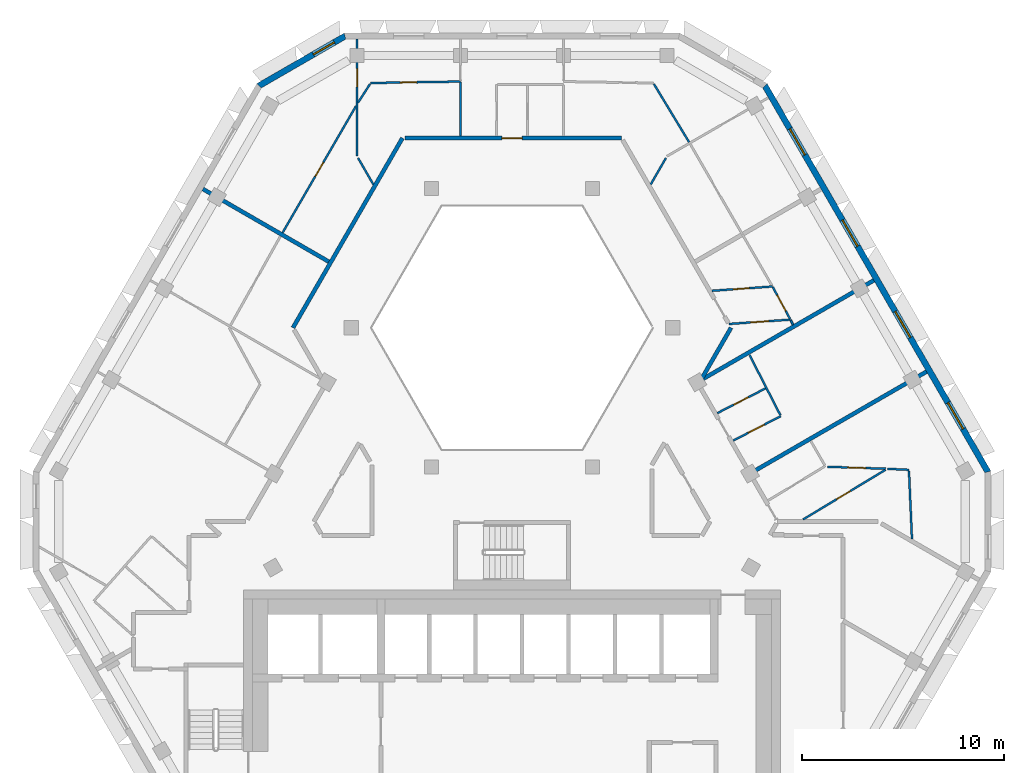
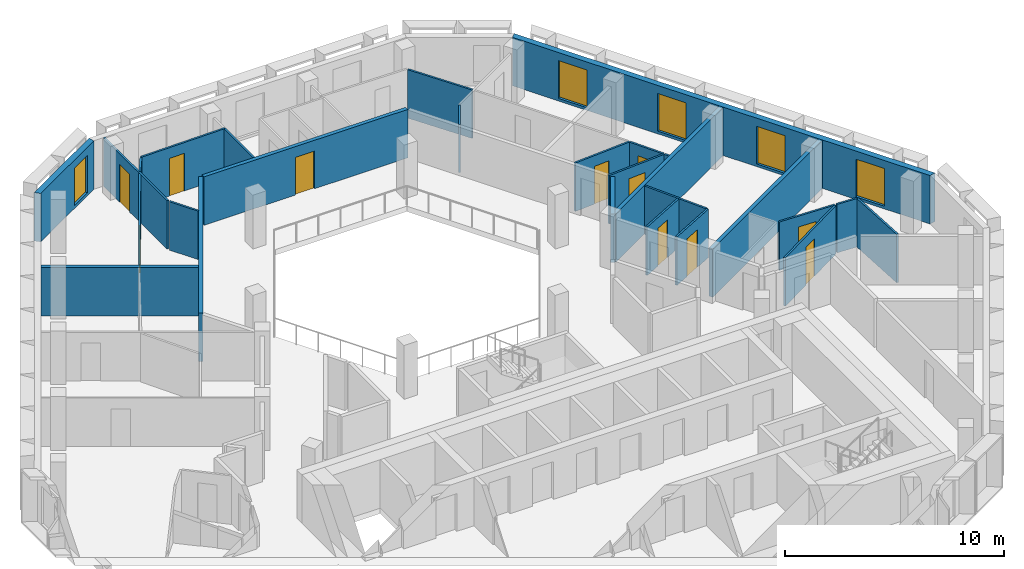
# One storey, part 6 of 14: 27 walls, 11 doors, 5 windows, 16 openings.
"""IFC4 building model written with IfcOpenShell, lengths in metres."""

from ifc_helpers import new_model, si_unit, direction, frame, frame_2d, origin, place, context, subcontext, project, spatial, polyline, rectangle, outline, extrude, material, layer, layer_set, type_object, element, fill, save


model = new_model("IFC4")

# Units and contexts
model_context = context("Model", 3, precision=1e-05, world=origin(), true_north=direction((0.0, 1.0)))
body_context = subcontext(model_context, "Body", "Model", "MODEL_VIEW")
ifc_project = project(units=[si_unit("LENGTHUNIT", "METRE"), si_unit("AREAUNIT", "SQUARE_METRE"), si_unit("VOLUMEUNIT", "CUBIC_METRE"), si_unit("PLANEANGLEUNIT", "RADIAN"), si_unit("MASSUNIT", "GRAM", prefix="KILO")], contexts=[model_context])

# Site, building, storey
site_placement = place(None, origin())
site = spatial("IfcSite", under=ifc_project, at=site_placement, CompositionType="ELEMENT")
building_placement = place(site_placement, origin())
building = spatial("IfcBuilding", under=site, at=building_placement, Name="Beryl Residences", CompositionType="ELEMENT")
storey_placement = place(building_placement, frame((0.0, 0.0, 223.800048828125)))
storey = spatial("IfcBuildingStorey", under=building, at=storey_placement, Name="L69", CompositionType="ELEMENT", Elevation=223.800048828125)

# Wall, opening, window
ifc_material_1 = material(Name="Composite metal panel with mineral wool insulation")
ifc_layer_1 = layer(ifc_material_1, 0.300048828125)
ifc_layer_set_1 = layer_set([ifc_layer_1], Name="ES1 pale metal composite panel wall 300 mm")
wall_type_1 = type_object("IfcWallType", Name="ES1 pale metal composite panel wall 300 mm", PredefinedType="SOLIDWALL", material=ifc_layer_set_1)
wall_1_placement = place(storey_placement, frame((-8.239013671875, 22.469970703125, 0.0), z_axis=(0.0, 0.0, 1.0), x_axis=(-0.866022959057, -0.500004234368, 0.0)))
wall_1 = element("IfcWall", 1, at=wall_1_placement, inside=storey, type_object=wall_type_1, Name="ES1 external wall L69 N-NW", PredefinedType="SOLIDWALL", context=body_context, shape_type="SweptSolid", body=[
    extrude(outline(polyline([(0.0, -0.14990234375), (5.0, -0.14990234375), (4.919677734375, 0.14990234375), (0.080322265625, 0.14990234375), (0.0, -0.14990234375)])), origin(), (0.0, 0.0, 1.0), 2.699951171875),
])
opening_1_placement = place(wall_1_placement, frame((0.64990234375, 0.0, 0.14990234375)))
opening_1 = element("IfcOpeningElement", 2, at=opening_1_placement, cuts=wall_1, Name="Opening W2", PredefinedType="OPENING", context=body_context, shape_type="SweptSolid", body=[
    extrude(rectangle(XDim=1.199951171875, YDim=2.10009765625, at=frame_2d((0.60009765625, 1.050048828125))), frame((0.0, 0.159912109375, 0.0), z_axis=(0.0, -1.0, 0.0), x_axis=(1.0, 0.0, 0.0)), (0.0, 0.0, 1.0), 0.320068359375),
])
ifc_material_2 = material(Name="Aluminium and clear glass", Category="aluminium")
window_type_1 = type_object("IfcWindowType", Name="W2 chamfer window 1200 x 2100 mm", PartitioningType="SINGLE_PANEL", PredefinedType="WINDOW", material=ifc_material_2)
window_1_placement = place(opening_1_placement, origin())
window_1 = element("IfcWindow", 3, at=window_1_placement, inside=storey, type_object=window_type_1, Name="W2 window L69 N-NW 1", OverallHeight=2.10009765625, OverallWidth=1.199951171875, PartitioningType="SINGLE_PANEL", PredefinedType="WINDOW", context=body_context, shape_type="SweptSolid", body=[
    extrude(rectangle(XDim=1.199951171875, YDim=2.10009765625, at=frame_2d((0.60009765625, 1.050048828125))), frame((0.0, 0.030029296875, 0.0), z_axis=(0.0, -1.0, 0.0), x_axis=(1.0, 0.0, 0.0)), (0.0, 0.0, 1.0), 0.06005859375),
])
fill(opening_1, window_1)

# Wall, openings, windows
wall_2_placement = place(storey_placement, frame((23.59912109375, 0.824951171875, 0.0), z_axis=(0.0, 0.0, 1.0), x_axis=(-0.500003656944, 0.866023292436, 0.0)))
wall_2 = element("IfcWall", 4, at=wall_2_placement, inside=storey, type_object=wall_type_1, Name="ES1 external wall L69 NE", PredefinedType="SOLIDWALL", context=body_context, shape_type="SweptSolid", body=[
    extrude(outline(polyline([(0.0, -0.14990234375), (22.170166015625, -0.14990234375), (22.08984375, 0.14990234375), (0.080322265625, 0.14990234375), (0.0, -0.14990234375)])), origin(), (0.0, 0.0, 1.0), 2.699951171875),
])
opening_2_placement = place(wall_2_placement, frame((2.4970703125, 0.0, 0.14990234375)))
opening_2 = element("IfcOpeningElement", 5, at=opening_2_placement, cuts=wall_2, Name="Opening W1", PredefinedType="OPENING", context=body_context, shape_type="SweptSolid", body=[
    extrude(rectangle(XDim=1.5, YDim=2.10009765625, at=frame_2d((0.75, 1.050048828125))), frame((0.0, 0.159912109375, 0.0), z_axis=(0.0, -1.0, 0.0), x_axis=(1.0, 0.0, 0.0)), (0.0, 0.0, 1.0), 0.320068359375),
])
opening_3_placement = place(wall_2_placement, frame((7.722900390625, 0.0, 0.14990234375)))
opening_3 = element("IfcOpeningElement", 6, at=opening_3_placement, cuts=wall_2, Name="Opening W1", PredefinedType="OPENING", context=body_context, shape_type="SweptSolid", body=[
    extrude(rectangle(XDim=1.5, YDim=2.10009765625, at=frame_2d((0.75, 1.050048828125))), frame((0.0, 0.159912109375, 0.0), z_axis=(0.0, -1.0, 0.0), x_axis=(1.0, 0.0, 0.0)), (0.0, 0.0, 1.0), 0.320068359375),
])
opening_4_placement = place(wall_2_placement, frame((12.947998046875, 0.0, 0.14990234375)))
opening_4 = element("IfcOpeningElement", 7, at=opening_4_placement, cuts=wall_2, Name="Opening W1", PredefinedType="OPENING", context=body_context, shape_type="SweptSolid", body=[
    extrude(rectangle(XDim=1.5, YDim=2.10009765625, at=frame_2d((0.75, 1.050048828125))), frame((0.0, 0.159912109375, 0.0), z_axis=(0.0, -1.0, 0.0), x_axis=(1.0, 0.0, 0.0)), (0.0, 0.0, 1.0), 0.320068359375),
])
opening_5_placement = place(wall_2_placement, frame((18.173095703125, 0.0, 0.14990234375)))
opening_5 = element("IfcOpeningElement", 8, at=opening_5_placement, cuts=wall_2, Name="Opening W1", PredefinedType="OPENING", context=body_context, shape_type="SweptSolid", body=[
    extrude(rectangle(XDim=1.5, YDim=2.10009765625, at=frame_2d((0.75, 1.050048828125))), frame((0.0, 0.159912109375, 0.0), z_axis=(0.0, -1.0, 0.0), x_axis=(1.0, 0.0, 0.0)), (0.0, 0.0, 1.0), 0.320068359375),
])
ifc_material_3 = material(Name="Aluminium and clear glass", Category="aluminium")
window_type_2 = type_object("IfcWindowType", Name="W1 cell window 1500 x 2100 mm", PartitioningType="SINGLE_PANEL", PredefinedType="WINDOW", material=ifc_material_3)
window_2_placement = place(opening_2_placement, origin())
window_2 = element("IfcWindow", 9, at=window_2_placement, inside=storey, type_object=window_type_2, Name="W1 window L69 NE 2", OverallHeight=2.10009765625, OverallWidth=1.5, PartitioningType="SINGLE_PANEL", PredefinedType="WINDOW", context=body_context, shape_type="SweptSolid", body=[
    extrude(rectangle(XDim=1.5, YDim=2.10009765625, at=frame_2d((0.75, 1.050048828125))), frame((0.0, 0.030029296875, 0.0), z_axis=(0.0, -1.0, 0.0), x_axis=(1.0, 0.0, 0.0)), (0.0, 0.0, 1.0), 0.06005859375),
])
fill(opening_2, window_2)
window_3_placement = place(opening_3_placement, origin())
window_3 = element("IfcWindow", 10, at=window_3_placement, inside=storey, type_object=window_type_2, Name="W1 window L69 NE 4", OverallHeight=2.10009765625, OverallWidth=1.5, PartitioningType="SINGLE_PANEL", PredefinedType="WINDOW", context=body_context, shape_type="SweptSolid", body=[
    extrude(rectangle(XDim=1.5, YDim=2.10009765625, at=frame_2d((0.75, 1.050048828125))), frame((0.0, 0.030029296875, 0.0), z_axis=(0.0, -1.0, 0.0), x_axis=(1.0, 0.0, 0.0)), (0.0, 0.0, 1.0), 0.06005859375),
])
fill(opening_3, window_3)
window_4_placement = place(opening_4_placement, origin())
window_4 = element("IfcWindow", 11, at=window_4_placement, inside=storey, type_object=window_type_2, Name="W1 window L69 NE 6", OverallHeight=2.10009765625, OverallWidth=1.5, PartitioningType="SINGLE_PANEL", PredefinedType="WINDOW", context=body_context, shape_type="SweptSolid", body=[
    extrude(rectangle(XDim=1.5, YDim=2.10009765625, at=frame_2d((0.75, 1.050048828125))), frame((0.0, 0.030029296875, 0.0), z_axis=(0.0, -1.0, 0.0), x_axis=(1.0, 0.0, 0.0)), (0.0, 0.0, 1.0), 0.06005859375),
])
fill(opening_4, window_4)
window_5_placement = place(opening_5_placement, origin())
window_5 = element("IfcWindow", 12, at=window_5_placement, inside=storey, type_object=window_type_2, Name="W1 window L69 NE 8", OverallHeight=2.10009765625, OverallWidth=1.5, PartitioningType="SINGLE_PANEL", PredefinedType="WINDOW", context=body_context, shape_type="SweptSolid", body=[
    extrude(rectangle(XDim=1.5, YDim=2.10009765625, at=frame_2d((0.75, 1.050048828125))), frame((0.0, 0.030029296875, 0.0), z_axis=(0.0, -1.0, 0.0), x_axis=(1.0, 0.0, 0.0)), (0.0, 0.0, 1.0), 0.06005859375),
])
fill(opening_5, window_5)

# Walls
ifc_material_4 = material(Name="Gypsum board partition on steel studs", Category="steel")
ifc_layer_2 = layer(ifc_material_4, 0.10009765625)
ifc_layer_set_2 = layer_set([ifc_layer_2], Name="PT1 partition 100 mm gypsum board on steel studs")
wall_type_2 = type_object("IfcWallType", Name="PT1 partition 100 mm gypsum board on steel studs", PredefinedType="PARTITIONING", material=ifc_layer_set_2)
wall_3_placement = place(storey_placement, frame((7.032958984375, 20.076904296875, 0.0), z_axis=(0.0, 0.0, 1.0), x_axis=(0.517730137343, -0.855543981854, 0.0)))
element("IfcWall", 13, at=wall_3_placement, inside=storey, type_object=wall_type_2, Name="Wall PT1 L69 001", PredefinedType="PARTITIONING", context=body_context, shape_type="SweptSolid", body=[
    extrude(rectangle(XDim=3.37060546875, YDim=0.10009765625, at=frame_2d((1.685302734375, 0.0))), origin(), (0.0, 0.0, 1.0), 2.699951171875),
])
wall_4_placement = place(storey_placement, frame((-7.6279296875, 16.412109375, 0.0), z_axis=(0.0, 0.0, 1.0), x_axis=(0.500159472144, -0.86593331292, 0.0)))
element("IfcWall", 14, at=wall_4_placement, inside=storey, type_object=wall_type_2, Name="Wall PT1 L69 003", PredefinedType="PARTITIONING", context=body_context, shape_type="SweptSolid", body=[
    extrude(rectangle(XDim=1.51513671875, YDim=0.10009765625, at=frame_2d((0.757568359375, 0.0))), origin(), (0.0, 0.0, 1.0), 2.699951171875),
])

# Wall, opening, door
wall_5_placement = place(storey_placement, frame((12.922119140625, 10.01611328125, 0.0), z_axis=(0.0, 0.0, 1.0), x_axis=(0.476510550025, -0.879168752695, 0.0)))
wall_5 = element("IfcWall", 15, at=wall_5_placement, inside=storey, type_object=wall_type_2, Name="Wall PT1 L69 006", PredefinedType="PARTITIONING", context=body_context, shape_type="SweptSolid", body=[
    extrude(rectangle(XDim=1.79833984375, YDim=0.10009765625, at=frame_2d((0.899169921875, 0.0))), origin(), (0.0, 0.0, 1.0), 2.699951171875),
])
opening_6_placement = place(wall_5_placement, frame((0.448974609375, 0.0, 0.0)))
opening_6 = element("IfcOpeningElement", 16, at=opening_6_placement, cuts=wall_5, Name="Opening D2233", PredefinedType="OPENING", context=body_context, shape_type="SweptSolid", body=[
    extrude(rectangle(XDim=0.89990234375, YDim=2.10009765625, at=frame_2d((0.449951171875, 1.050048828125))), frame((0.0, 0.06005859375, 0.0), z_axis=(0.0, -1.0, 0.0), x_axis=(1.0, 0.0, 0.0)), (0.0, 0.0, 1.0), 0.1201171875),
])
ifc_material_5 = material(Name="Timber door leaf", Category="wood")
door_type_1 = type_object("IfcDoorType", Name="D2 room door 900 x 2100 mm", OperationType="SINGLE_SWING_LEFT", PredefinedType="DOOR", material=ifc_material_5)
door_1_placement = place(opening_6_placement, origin())
door_1 = element("IfcDoor", 17, at=door_1_placement, inside=storey, type_object=door_type_1, Name="Door D2233 L69 001", OperationType="SINGLE_SWING_LEFT", OverallHeight=2.10009765625, OverallWidth=0.89990234375, PredefinedType="DOOR", context=body_context, shape_type="SweptSolid", body=[
    extrude(rectangle(XDim=0.89990234375, YDim=2.10009765625, at=frame_2d((0.449951171875, 1.050048828125))), frame((0.0, 0.02490234375, 0.0), z_axis=(0.0, -1.0, 0.0), x_axis=(1.0, 0.0, 0.0)), (0.0, 0.0, 1.0), 0.050048828125),
])
fill(opening_6, door_1)

# Walls
wall_6_placement = place(storey_placement, frame((13.81103515625, 8.375, 0.0), z_axis=(0.0, 0.0, 1.0), x_axis=(0.457058020142, -0.889436881529, 0.0)))
element("IfcWall", 18, at=wall_6_placement, inside=storey, type_object=wall_type_2, Name="Wall PT1 L69 007", PredefinedType="PARTITIONING", context=body_context, shape_type="SweptSolid", body=[
    extrude(rectangle(XDim=0.247314453125, YDim=0.10009765625, at=frame_2d((0.12353515625, 0.0))), origin(), (0.0, 0.0, 1.0), 2.699951171875),
])
wall_7_placement = place(storey_placement, frame((11.77197265625, 6.64599609375, 0.0), z_axis=(0.0, 0.0, 1.0), x_axis=(0.456175983405, -0.889889584254, 0.0)))
element("IfcWall", 19, at=wall_7_placement, inside=storey, type_object=wall_type_2, Name="Wall PT1 L69 008", PredefinedType="PARTITIONING", context=body_context, shape_type="SweptSolid", body=[
    extrude(rectangle(XDim=3.34765625, YDim=0.10009765625, at=frame_2d((1.673828125, 0.0))), origin(), (0.0, 0.0, 1.0), 2.699951171875),
])
wall_8_placement = place(storey_placement, frame((19.669921875, 0.908935546875, 0.0), z_axis=(0.0, 0.0, 1.0), x_axis=(0.043933486644, -0.99903445824, 0.0)))
element("IfcWall", 20, at=wall_8_placement, inside=storey, type_object=wall_type_2, Name="Wall PT1 L69 009", PredefinedType="PARTITIONING", context=body_context, shape_type="SweptSolid", body=[
    extrude(rectangle(XDim=3.373046875, YDim=0.10009765625, at=frame_2d((1.6865234375, 0.0))), origin(), (0.0, 0.0, 1.0), 2.699951171875),
])
wall_9_placement = place(storey_placement, frame((-2.55908203125, 20.169921875, 0.0), z_axis=(0.0, 0.0, 1.0), x_axis=(0.0, -1.0, 0.0)))
element("IfcWall", 21, at=wall_9_placement, inside=storey, type_object=wall_type_2, Name="Wall PT1 L69 010", PredefinedType="PARTITIONING", context=body_context, shape_type="SweptSolid", body=[
    extrude(rectangle(XDim=2.669921875, YDim=0.10009765625, at=frame_2d((1.3349609375, 0.0))), origin(), (0.0, 0.0, 1.0), 2.699951171875),
])

# Wall, opening, door
wall_10_placement = place(storey_placement, frame((15.631103515625, 1.112060546875, 0.0), z_axis=(0.0, 0.0, 1.0), x_axis=(0.999423034213, -0.033964668168, 0.0)))
wall_10 = element("IfcWall", 22, at=wall_10_placement, inside=storey, type_object=wall_type_2, Name="Wall PT1 L69 014", PredefinedType="PARTITIONING", context=body_context, shape_type="SweptSolid", body=[
    extrude(rectangle(XDim=2.8896484375, YDim=0.10009765625, at=frame_2d((1.44482421875, 0.0))), origin(), (0.0, 0.0, 1.0), 2.699951171875),
])
opening_7_placement = place(wall_10_placement, frame((0.9951171875, 0.0, 0.0)))
opening_7 = element("IfcOpeningElement", 23, at=opening_7_placement, cuts=wall_10, Name="Opening D2226", PredefinedType="OPENING", context=body_context, shape_type="SweptSolid", body=[
    extrude(rectangle(XDim=0.89990234375, YDim=2.10009765625, at=frame_2d((0.449951171875, 1.050048828125))), frame((0.0, 0.06005859375, 0.0), z_axis=(0.0, -1.0, 0.0), x_axis=(1.0, 0.0, 0.0)), (0.0, 0.0, 1.0), 0.1201171875),
])
door_2_placement = place(opening_7_placement, origin())
door_2 = element("IfcDoor", 24, at=door_2_placement, inside=storey, type_object=door_type_1, Name="Door D2226 L69 001", OperationType="SINGLE_SWING_RIGHT", OverallHeight=2.10009765625, OverallWidth=0.89990234375, PredefinedType="DOOR", context=body_context, shape_type="SweptSolid", body=[
    extrude(rectangle(XDim=0.89990234375, YDim=2.10009765625, at=frame_2d((0.449951171875, 1.050048828125))), frame((0.0, 0.02490234375, 0.0), z_axis=(0.0, -1.0, 0.0), x_axis=(1.0, 0.0, 0.0)), (0.0, 0.0, 1.0), 0.050048828125),
])
fill(opening_7, door_2)

# Walls
wall_11_placement = place(storey_placement, frame((-7.6279296875, 19.154052734375, 0.0), z_axis=(0.0, 0.0, 1.0), x_axis=(0.540600102017, 0.841279697663, 0.0)))
element("IfcWall", 25, at=wall_11_placement, inside=storey, type_object=wall_type_2, Name="Wall PT1 L69 022", PredefinedType="PARTITIONING", context=body_context, shape_type="SweptSolid", body=[
    extrude(rectangle(XDim=1.096923828125, YDim=0.10009765625, at=frame_2d((0.54833984375, 0.0))), origin(), (0.0, 0.0, 1.0), 2.699951171875),
])
wall_12_placement = place(storey_placement, frame((6.87109375, 15.10009765625, 0.0), z_axis=(0.0, 0.0, 1.0), x_axis=(0.499805980977, 0.866137391745, 0.0)))
element("IfcWall", 26, at=wall_12_placement, inside=storey, type_object=wall_type_2, Name="Wall PT1 L69 024", PredefinedType="PARTITIONING", context=body_context, shape_type="SweptSolid", body=[
    extrude(rectangle(XDim=1.51806640625, YDim=0.10009765625, at=frame_2d((0.759033203125, 0.0))), origin(), (0.0, 0.0, 1.0), 2.699951171875),
])

# Wall, opening, door
wall_13_placement = place(storey_placement, frame((-11.366943359375, 12.7119140625, 0.0), z_axis=(0.0, 0.0, 1.0), x_axis=(0.501473866443, 0.865172792727, 0.0)))
wall_13 = element("IfcWall", 27, at=wall_13_placement, inside=storey, type_object=wall_type_2, Name="Wall PT1 L69 025", PredefinedType="PARTITIONING", context=body_context, shape_type="SweptSolid", body=[
    extrude(rectangle(XDim=7.25634765625, YDim=0.10009765625, at=frame_2d((3.628173828125, 0.0))), origin(), (0.0, 0.0, 1.0), 2.699951171875),
])
opening_8_placement = place(wall_13_placement, frame((3.22802734375, 0.0, 0.0)))
opening_8 = element("IfcOpeningElement", 28, at=opening_8_placement, cuts=wall_13, Name="Opening D2211", PredefinedType="OPENING", context=body_context, shape_type="SweptSolid", body=[
    extrude(rectangle(XDim=0.800048828125, YDim=2.10009765625, at=frame_2d((0.39990234375, 1.050048828125))), frame((0.0, 0.06005859375, 0.0), z_axis=(0.0, -1.0, 0.0), x_axis=(1.0, 0.0, 0.0)), (0.0, 0.0, 1.0), 0.1201171875),
])
ifc_material_6 = material(Name="Timber door leaf", Category="wood")
door_type_2 = type_object("IfcDoorType", Name="D3 bathroom door 800 x 2100 mm", OperationType="SINGLE_SWING_LEFT", PredefinedType="DOOR", material=ifc_material_6)
door_3_placement = place(opening_8_placement, origin())
door_3 = element("IfcDoor", 29, at=door_3_placement, inside=storey, type_object=door_type_2, Name="Door D2211 L69 001", OperationType="SINGLE_SWING_LEFT", OverallHeight=2.10009765625, OverallWidth=0.800048828125, PredefinedType="DOOR", context=body_context, shape_type="SweptSolid", body=[
    extrude(rectangle(XDim=0.800048828125, YDim=2.10009765625, at=frame_2d((0.39990234375, 1.050048828125))), frame((0.0, 0.02490234375, 0.0), z_axis=(0.0, -1.0, 0.0), x_axis=(1.0, 0.0, 0.0)), (0.0, 0.0, 1.0), 0.050048828125),
])
fill(opening_8, door_3)

wall_14_placement = place(storey_placement, frame((-7.677978515625, 16.4990234375, 0.0), z_axis=(0.0, 0.0, 1.0), x_axis=(0.0, 1.0, 0.0)))
wall_14 = element("IfcWall", 30, at=wall_14_placement, inside=storey, type_object=wall_type_2, Name="Wall PT1 L69 028", PredefinedType="PARTITIONING", context=body_context, shape_type="SweptSolid", body=[
    extrude(rectangle(XDim=5.801025390625, YDim=0.10009765625, at=frame_2d((2.900390625, 0.0))), origin(), (0.0, 0.0, 1.0), 2.699951171875),
])
opening_9_placement = place(wall_14_placement, frame((3.43994140625, 0.0, 0.0)))
opening_9 = element("IfcOpeningElement", 31, at=opening_9_placement, cuts=wall_14, Name="Opening D2210", PredefinedType="OPENING", context=body_context, shape_type="SweptSolid", body=[
    extrude(rectangle(XDim=0.89990234375, YDim=2.10009765625, at=frame_2d((0.449951171875, 1.050048828125))), frame((0.0, 0.06005859375, 0.0), z_axis=(0.0, -1.0, 0.0), x_axis=(1.0, 0.0, 0.0)), (0.0, 0.0, 1.0), 0.1201171875),
])
door_4_placement = place(opening_9_placement, origin())
door_4 = element("IfcDoor", 32, at=door_4_placement, inside=storey, type_object=door_type_1, Name="Door D2210 L69 001", OperationType="SINGLE_SWING_RIGHT", OverallHeight=2.10009765625, OverallWidth=0.89990234375, PredefinedType="DOOR", context=body_context, shape_type="SweptSolid", body=[
    extrude(rectangle(XDim=0.89990234375, YDim=2.10009765625, at=frame_2d((0.449951171875, 1.050048828125))), frame((0.0, 0.02490234375, 0.0), z_axis=(0.0, -1.0, 0.0), x_axis=(1.0, 0.0, 0.0)), (0.0, 0.0, 1.0), 0.050048828125),
])
fill(opening_9, door_4)

wall_15_placement = place(storey_placement, frame((-7.001953125, 20.1279296875, 0.0), z_axis=(0.0, 0.0, 1.0), x_axis=(0.999868634558, 0.016208443081, 0.0)))
wall_15 = element("IfcWall", 33, at=wall_15_placement, inside=storey, type_object=wall_type_2, Name="Wall PT1 L69 031", PredefinedType="PARTITIONING", context=body_context, shape_type="SweptSolid", body=[
    extrude(rectangle(XDim=4.443359375, YDim=0.10009765625, at=frame_2d((2.2216796875, 0.0))), origin(), (0.0, 0.0, 1.0), 2.699951171875),
])
opening_10_placement = place(wall_15_placement, frame((1.47509765625, 0.0, 0.0)))
opening_10 = element("IfcOpeningElement", 34, at=opening_10_placement, cuts=wall_15, Name="Opening D2209", PredefinedType="OPENING", context=body_context, shape_type="SweptSolid", body=[
    extrude(rectangle(XDim=0.800048828125, YDim=2.10009765625, at=frame_2d((0.39990234375, 1.050048828125))), frame((0.0, 0.06005859375, 0.0), z_axis=(0.0, -1.0, 0.0), x_axis=(1.0, 0.0, 0.0)), (0.0, 0.0, 1.0), 0.1201171875),
])
door_5_placement = place(opening_10_placement, origin())
door_5 = element("IfcDoor", 35, at=door_5_placement, inside=storey, type_object=door_type_2, Name="Door D2209 L69 001", OperationType="SINGLE_SWING_LEFT", OverallHeight=2.10009765625, OverallWidth=0.800048828125, PredefinedType="DOOR", context=body_context, shape_type="SweptSolid", body=[
    extrude(rectangle(XDim=0.800048828125, YDim=2.10009765625, at=frame_2d((0.39990234375, 1.050048828125))), frame((0.0, 0.02490234375, 0.0), z_axis=(0.0, -1.0, 0.0), x_axis=(1.0, 0.0, 0.0)), (0.0, 0.0, 1.0), 0.050048828125),
])
fill(opening_10, door_5)

wall_16_placement = place(storey_placement, frame((10.177978515625, 3.77197265625, 0.0), z_axis=(0.0, 0.0, 1.0), x_axis=(0.889732071959, 0.456483121405, 0.0)))
wall_16 = element("IfcWall", 36, at=wall_16_placement, inside=storey, type_object=wall_type_2, Name="Wall PT1 L69 032", PredefinedType="PARTITIONING", context=body_context, shape_type="SweptSolid", body=[
    extrude(rectangle(XDim=2.679443359375, YDim=0.10009765625, at=frame_2d((1.33984375, 0.0))), origin(), (0.0, 0.0, 1.0), 2.699951171875),
])
opening_11_placement = place(wall_16_placement, frame((0.9150390625, 0.0, 0.0)))
opening_11 = element("IfcOpeningElement", 37, at=opening_11_placement, cuts=wall_16, Name="Opening D2229", PredefinedType="OPENING", context=body_context, shape_type="SweptSolid", body=[
    extrude(rectangle(XDim=0.800048828125, YDim=2.10009765625, at=frame_2d((0.39990234375, 1.050048828125))), frame((0.0, 0.06005859375, 0.0), z_axis=(0.0, -1.0, 0.0), x_axis=(1.0, 0.0, 0.0)), (0.0, 0.0, 1.0), 0.1201171875),
])
door_6_placement = place(opening_11_placement, origin())
door_6 = element("IfcDoor", 38, at=door_6_placement, inside=storey, type_object=door_type_2, Name="Door D2229 L69 001", OperationType="SINGLE_SWING_LEFT", OverallHeight=2.10009765625, OverallWidth=0.800048828125, PredefinedType="DOOR", context=body_context, shape_type="SweptSolid", body=[
    extrude(rectangle(XDim=0.800048828125, YDim=2.10009765625, at=frame_2d((0.39990234375, 1.050048828125))), frame((0.0, 0.02490234375, 0.0), z_axis=(0.0, -1.0, 0.0), x_axis=(1.0, 0.0, 0.0)), (0.0, 0.0, 1.0), 0.050048828125),
])
fill(opening_11, door_6)

wall_17_placement = place(storey_placement, frame((10.962890625, 2.412109375, 0.0), z_axis=(0.0, 0.0, 1.0), x_axis=(0.889943997558, 0.456069820543, 0.0)))
wall_17 = element("IfcWall", 39, at=wall_17_placement, inside=storey, type_object=wall_type_2, Name="Wall PT1 L69 033", PredefinedType="PARTITIONING", context=body_context, shape_type="SweptSolid", body=[
    extrude(rectangle(XDim=2.65087890625, YDim=0.10009765625, at=frame_2d((1.325439453125, 0.0))), origin(), (0.0, 0.0, 1.0), 2.699951171875),
])
opening_12_placement = place(wall_17_placement, frame((0.825927734375, 0.0, 0.0)))
opening_12 = element("IfcOpeningElement", 40, at=opening_12_placement, cuts=wall_17, Name="Opening D2228", PredefinedType="OPENING", context=body_context, shape_type="SweptSolid", body=[
    extrude(rectangle(XDim=0.89990234375, YDim=2.10009765625, at=frame_2d((0.449951171875, 1.050048828125))), frame((0.0, 0.06005859375, 0.0), z_axis=(0.0, -1.0, 0.0), x_axis=(1.0, 0.0, 0.0)), (0.0, 0.0, 1.0), 0.1201171875),
])
door_7_placement = place(opening_12_placement, origin())
door_7 = element("IfcDoor", 41, at=door_7_placement, inside=storey, type_object=door_type_1, Name="Door D2228 L69 001", OperationType="SINGLE_SWING_RIGHT", OverallHeight=2.10009765625, OverallWidth=0.89990234375, PredefinedType="DOOR", context=body_context, shape_type="SweptSolid", body=[
    extrude(rectangle(XDim=0.89990234375, YDim=2.10009765625, at=frame_2d((0.449951171875, 1.050048828125))), frame((0.0, 0.02490234375, 0.0), z_axis=(0.0, -1.0, 0.0), x_axis=(1.0, 0.0, 0.0)), (0.0, 0.0, 1.0), 0.050048828125),
])
fill(opening_12, door_7)

wall_18_placement = place(storey_placement, frame((14.423095703125, -1.4990234375, 0.0), z_axis=(0.0, 0.0, 1.0), x_axis=(0.856512638305, 0.516126050905, 0.0)))
wall_18 = element("IfcWall", 42, at=wall_18_placement, inside=storey, type_object=wall_type_2, Name="Wall PT1 L69 036", PredefinedType="PARTITIONING", context=body_context, shape_type="SweptSolid", body=[
    extrude(rectangle(XDim=4.776123046875, YDim=0.10009765625, at=frame_2d((2.38818359375, 0.0))), origin(), (0.0, 0.0, 1.0), 2.699951171875),
])
opening_13_placement = place(wall_18_placement, frame((1.93603515625, 0.0, 0.0)))
opening_13 = element("IfcOpeningElement", 43, at=opening_13_placement, cuts=wall_18, Name="Opening D2224", PredefinedType="OPENING", context=body_context, shape_type="SweptSolid", body=[
    extrude(rectangle(XDim=0.800048828125, YDim=2.10009765625, at=frame_2d((0.39990234375, 1.050048828125))), frame((0.0, 0.06005859375, 0.0), z_axis=(0.0, -1.0, 0.0), x_axis=(1.0, 0.0, 0.0)), (0.0, 0.0, 1.0), 0.1201171875),
])
door_8_placement = place(opening_13_placement, origin())
door_8 = element("IfcDoor", 44, at=door_8_placement, inside=storey, type_object=door_type_2, Name="Door D2224 L69 001", OperationType="SINGLE_SWING_RIGHT", OverallHeight=2.10009765625, OverallWidth=0.800048828125, PredefinedType="DOOR", context=body_context, shape_type="SweptSolid", body=[
    extrude(rectangle(XDim=0.800048828125, YDim=2.10009765625, at=frame_2d((0.39990234375, 1.050048828125))), frame((0.0, 0.02490234375, 0.0), z_axis=(0.0, -1.0, 0.0), x_axis=(1.0, 0.0, 0.0)), (0.0, 0.0, 1.0), 0.050048828125),
])
fill(opening_13, door_8)

wall_19_placement = place(storey_placement, frame((10.74609375, 8.18701171875, 0.0), z_axis=(0.0, 0.0, 1.0), x_axis=(0.997477310687, 0.070986017387, 0.0)))
wall_19 = element("IfcWall", 45, at=wall_19_placement, inside=storey, type_object=wall_type_2, Name="Wall PT1 L69 037", PredefinedType="PARTITIONING", context=body_context, shape_type="SweptSolid", body=[
    extrude(rectangle(XDim=3.0576171875, YDim=0.10009765625, at=frame_2d((1.52880859375, 0.0))), origin(), (0.0, 0.0, 1.0), 2.699951171875),
])
opening_14_placement = place(wall_19_placement, frame((1.0791015625, 0.0, 0.0)))
opening_14 = element("IfcOpeningElement", 46, at=opening_14_placement, cuts=wall_19, Name="Opening D2232", PredefinedType="OPENING", context=body_context, shape_type="SweptSolid", body=[
    extrude(rectangle(XDim=0.89990234375, YDim=2.10009765625, at=frame_2d((0.449951171875, 1.050048828125))), frame((0.0, 0.06005859375, 0.0), z_axis=(0.0, -1.0, 0.0), x_axis=(1.0, 0.0, 0.0)), (0.0, 0.0, 1.0), 0.1201171875),
])
door_9_placement = place(opening_14_placement, origin())
door_9 = element("IfcDoor", 47, at=door_9_placement, inside=storey, type_object=door_type_1, Name="Door D2232 L69 001", OperationType="SINGLE_SWING_RIGHT", OverallHeight=2.10009765625, OverallWidth=0.89990234375, PredefinedType="DOOR", context=body_context, shape_type="SweptSolid", body=[
    extrude(rectangle(XDim=0.89990234375, YDim=2.10009765625, at=frame_2d((0.449951171875, 1.050048828125))), frame((0.0, 0.02490234375, 0.0), z_axis=(0.0, -1.0, 0.0), x_axis=(1.0, 0.0, 0.0)), (0.0, 0.0, 1.0), 0.050048828125),
])
fill(opening_14, door_9)

wall_20_placement = place(storey_placement, frame((9.912109375, 9.8310546875, 0.0), z_axis=(0.0, 0.0, 1.0), x_axis=(0.997459937941, 0.071229714326, 0.0)))
wall_20 = element("IfcWall", 48, at=wall_20_placement, inside=storey, type_object=wall_type_2, Name="Wall PT1 L69 038", PredefinedType="PARTITIONING", context=body_context, shape_type="SweptSolid", body=[
    extrude(rectangle(XDim=3.00244140625, YDim=0.10009765625, at=frame_2d((1.501220703125, 0.0))), origin(), (0.0, 0.0, 1.0), 2.699951171875),
])
opening_15_placement = place(wall_20_placement, frame((1.044921875, 0.0, 0.0)))
opening_15 = element("IfcOpeningElement", 49, at=opening_15_placement, cuts=wall_20, Name="Opening D2231", PredefinedType="OPENING", context=body_context, shape_type="SweptSolid", body=[
    extrude(rectangle(XDim=0.800048828125, YDim=2.10009765625, at=frame_2d((0.39990234375, 1.050048828125))), frame((0.0, 0.06005859375, 0.0), z_axis=(0.0, -1.0, 0.0), x_axis=(1.0, 0.0, 0.0)), (0.0, 0.0, 1.0), 0.1201171875),
])
door_10_placement = place(opening_15_placement, origin())
door_10 = element("IfcDoor", 50, at=door_10_placement, inside=storey, type_object=door_type_2, Name="Door D2231 L69 001", OperationType="SINGLE_SWING_LEFT", OverallHeight=2.10009765625, OverallWidth=0.800048828125, PredefinedType="DOOR", context=body_context, shape_type="SweptSolid", body=[
    extrude(rectangle(XDim=0.800048828125, YDim=2.10009765625, at=frame_2d((0.39990234375, 1.050048828125))), frame((0.0, 0.02490234375, 0.0), z_axis=(0.0, -1.0, 0.0), x_axis=(1.0, 0.0, 0.0)), (0.0, 0.0, 1.0), 0.050048828125),
])
fill(opening_15, door_10)

# Walls
wall_21_placement = place(storey_placement, frame((18.611083984375, 1.010986328125, 0.0), z_axis=(0.0, 0.0, 1.0), x_axis=(0.998789491469, -0.049188939117, 0.0)))
element("IfcWall", 51, at=wall_21_placement, inside=storey, type_object=wall_type_2, Name="Wall PT1 L69 040", PredefinedType="PARTITIONING", context=body_context, shape_type="SweptSolid", body=[
    extrude(rectangle(XDim=1.05712890625, YDim=0.10009765625, at=frame_2d((0.528564453125, 0.0))), origin(), (0.0, 0.0, 1.0), 2.699951171875),
])
ifc_material_7 = material(Name="Acoustic double stud gypsum board wall")
ifc_layer_3 = layer(ifc_material_7, 0.199951171875)
ifc_layer_set_3 = layer_set([ifc_layer_3], Name="PT3 party wall 200 mm acoustic double stud")
wall_type_3 = type_object("IfcWallType", Name="PT3 party wall 200 mm acoustic double stud", PredefinedType="PARTITIONING", material=ifc_layer_set_3)
wall_22_placement = place(storey_placement, frame((-15.31396484375, 14.875, 0.0), z_axis=(0.0, 0.0, 1.0), x_axis=(0.866001485781, -0.500041424909, 0.0)))
element("IfcWall", 52, at=wall_22_placement, inside=storey, type_object=wall_type_3, Name="Wall PT3 L69 001", PredefinedType="PARTITIONING", context=body_context, shape_type="SweptSolid", body=[
    extrude(rectangle(XDim=7.19970703125, YDim=0.199951171875, at=frame_2d((3.599853515625, 0.0))), origin(), (0.0, 0.0, 1.0), 2.699951171875),
])
wall_23_placement = place(storey_placement, frame((11.87890625, 0.825927734375, 0.0), z_axis=(0.0, 0.0, 1.0), x_axis=(0.866065245018, 0.499930986609, 0.0)))
element("IfcWall", 53, at=wall_23_placement, inside=storey, type_object=wall_type_3, Name="Wall PT3 L69 008", PredefinedType="PARTITIONING", context=body_context, shape_type="SweptSolid", body=[
    extrude(rectangle(XDim=9.99951171875, YDim=0.199951171875, at=frame_2d((4.999755859375, 0.0))), origin(), (0.0, 0.0, 1.0), 2.699951171875),
])
wall_24_placement = place(storey_placement, frame((9.45703125, 5.4609375, 0.0), z_axis=(0.0, 0.0, 1.0), x_axis=(0.866043818878, 0.499968102766, 0.0)))
element("IfcWall", 54, at=wall_24_placement, inside=storey, type_object=wall_type_3, Name="Wall PT3 L69 009", PredefinedType="PARTITIONING", context=body_context, shape_type="SweptSolid", body=[
    extrude(rectangle(XDim=9.779052734375, YDim=0.199951171875, at=frame_2d((4.8896484375, 0.0))), origin(), (0.0, 0.0, 1.0), 2.699951171875),
])

# Wall, opening, door
ifc_material_8 = material(Name="Double stud gypsum board wall")
ifc_layer_4 = layer(ifc_material_8, 0.199951171875)
ifc_layer_set_4 = layer_set([ifc_layer_4], Name="PT4 corridor wall 200 mm double stud")
wall_type_4 = type_object("IfcWallType", Name="PT4 corridor wall 200 mm double stud", PredefinedType="PARTITIONING", material=ifc_layer_set_4)
wall_25_placement = place(storey_placement, frame((-5.31103515625, 17.39990234375, 0.0), z_axis=(0.0, 0.0, 1.0), x_axis=(1.0, 0.0, 0.0)))
wall_25 = element("IfcWall", 55, at=wall_25_placement, inside=storey, type_object=wall_type_4, Name="Wall PT4 L69 017", PredefinedType="PARTITIONING", context=body_context, shape_type="SweptSolid", body=[
    extrude(rectangle(XDim=10.737060546875, YDim=0.199951171875, at=frame_2d((5.36865234375, 0.0))), origin(), (0.0, 0.0, 1.0), 2.699951171875),
])
opening_16_placement = place(wall_25_placement, frame((4.81201171875, 0.0, 0.0)))
opening_16 = element("IfcOpeningElement", 56, at=opening_16_placement, cuts=wall_25, Name="Opening D2201", PredefinedType="OPENING", context=body_context, shape_type="SweptSolid", body=[
    extrude(rectangle(XDim=1.0, YDim=2.10009765625, at=frame_2d((0.5, 1.050048828125))), frame((0.0, 0.10986328125, 0.0), z_axis=(0.0, -1.0, 0.0), x_axis=(1.0, 0.0, 0.0)), (0.0, 0.0, 1.0), 0.219970703125),
])
ifc_material_9 = material(Name="Timber door leaf", Category="wood")
door_type_3 = type_object("IfcDoorType", Name="D1 flat entrance door 1000 x 2100 mm", OperationType="SINGLE_SWING_LEFT", PredefinedType="DOOR", material=ifc_material_9)
door_11_placement = place(opening_16_placement, origin())
door_11 = element("IfcDoor", 57, at=door_11_placement, inside=storey, type_object=door_type_3, Name="Door D2201 L69 001", OperationType="SINGLE_SWING_LEFT", OverallHeight=2.10009765625, OverallWidth=1.0, PredefinedType="DOOR", context=body_context, shape_type="SweptSolid", body=[
    extrude(rectangle(XDim=1.0, YDim=2.10009765625, at=frame_2d((0.5, 1.050048828125))), frame((0.0, 0.02490234375, 0.0), z_axis=(0.0, -1.0, 0.0), x_axis=(1.0, 0.0, 0.0)), (0.0, 0.0, 1.0), 0.050048828125),
])
fill(opening_16, door_11)

# Walls
wall_26_placement = place(storey_placement, frame((9.35400390625, 5.40087890625, 0.0), z_axis=(0.0, 0.0, 1.0), x_axis=(0.499849222119, 0.866112437936, 0.0)))
element("IfcWall", 58, at=wall_26_placement, inside=storey, type_object=wall_type_4, Name="Wall PT4 L69 019", PredefinedType="PARTITIONING", context=body_context, shape_type="SweptSolid", body=[
    extrude(rectangle(XDim=3.0009765625, YDim=0.199951171875, at=frame_2d((1.50048828125, 0.0))), origin(), (0.0, 0.0, 1.0), 2.699951171875),
])
wall_27_placement = place(storey_placement, frame((-10.85400390625, 8.0, 0.0), z_axis=(0.0, 0.0, 1.0), x_axis=(0.499997637144, 0.866026767976, 0.0)))
element("IfcWall", 59, at=wall_27_placement, inside=storey, type_object=wall_type_4, Name="Wall PT4 L69 024", PredefinedType="PARTITIONING", context=body_context, shape_type="SweptSolid", body=[
    extrude(rectangle(XDim=10.85400390625, YDim=0.199951171875, at=frame_2d((5.427001953125, 0.0))), origin(), (0.0, 0.0, 1.0), 2.699951171875),
])

save(model, "model.ifc")
